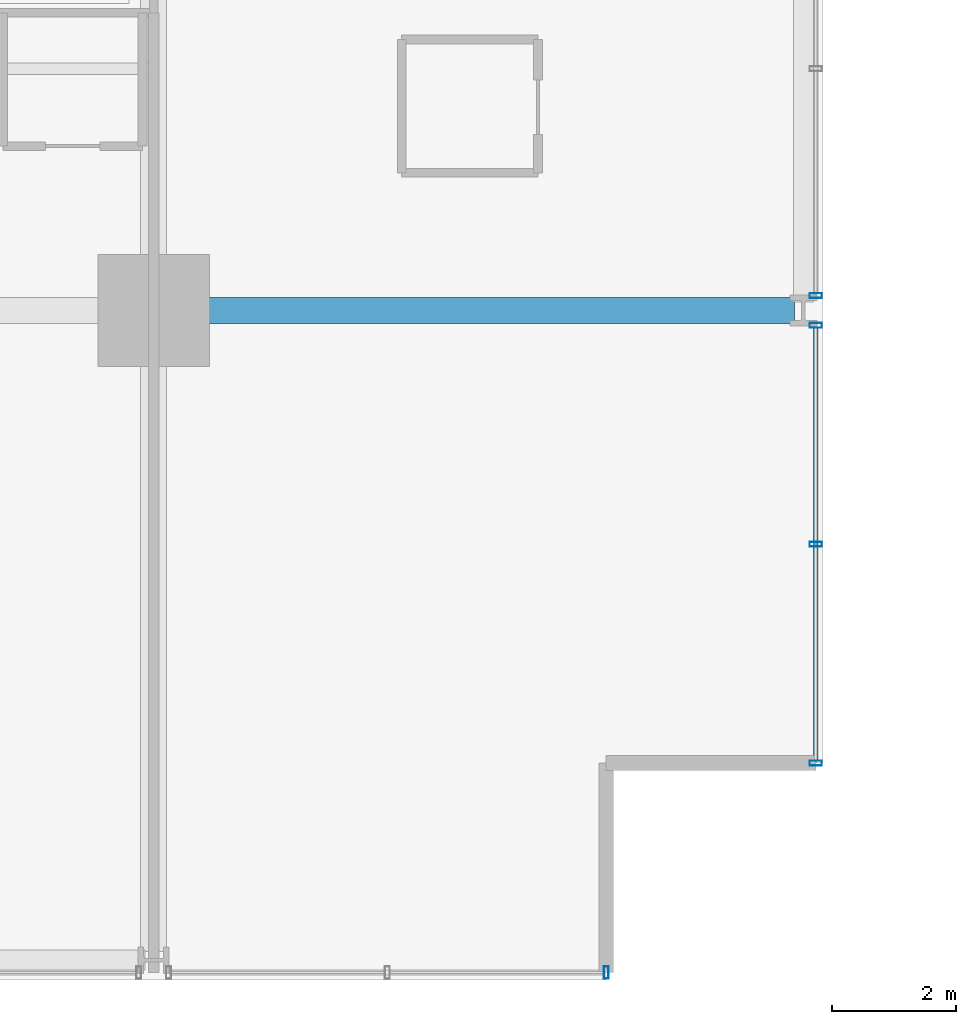
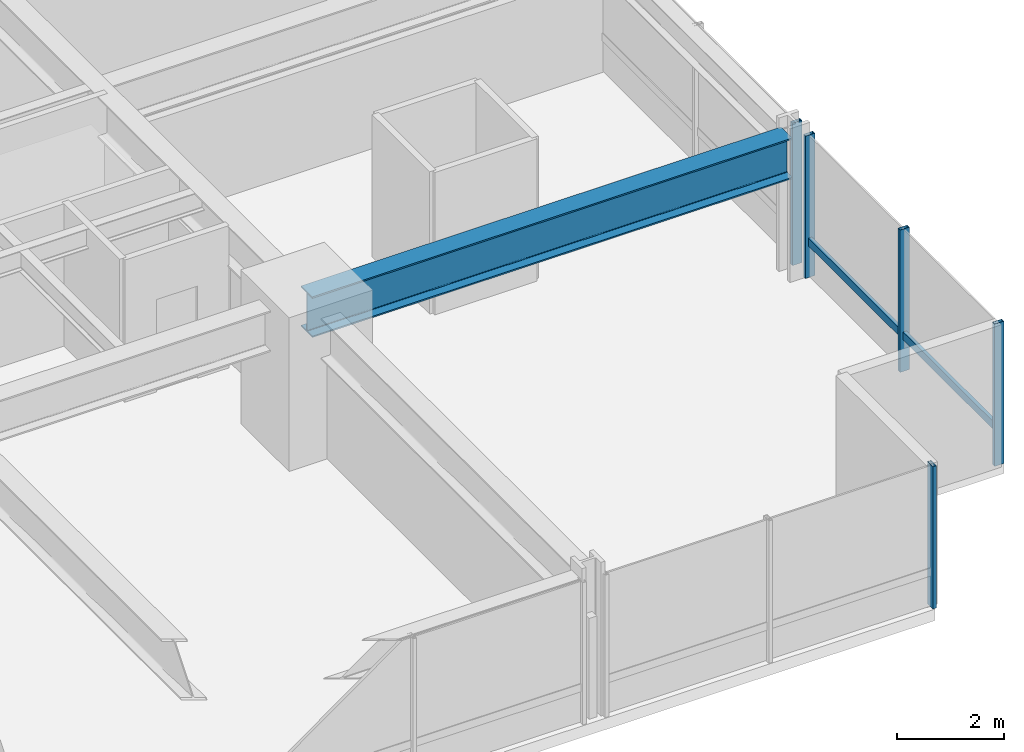
# One storey, part 13 of 37: 6 members, 1 beam, 3 elements without a shape of their own.
"""IFC4 building model written with IfcOpenShell, lengths in metres."""

from ifc_helpers import new_model, si_unit, direction, frame, origin, origin_2d, place, context, subcontext, project, spatial, hollow_rectangle, i_section, extrude, material, layer, layer_set, material_profile, profile_set, type_object, element, aggregate, save


model = new_model("IFC4")

# Units and contexts
model_context = context("Model", 3, precision=1e-05, world=origin(), true_north=direction((0.0, 1.0)))
body_context = subcontext(model_context, "Body", "Model", "MODEL_VIEW")
ifc_project = project(units=[si_unit("LENGTHUNIT", "METRE"), si_unit("AREAUNIT", "SQUARE_METRE"), si_unit("VOLUMEUNIT", "CUBIC_METRE"), si_unit("PLANEANGLEUNIT", "RADIAN"), si_unit("MASSUNIT", "GRAM", prefix="KILO")], contexts=[model_context])

# Site, building, storey
site_placement = place(None, origin())
site = spatial("IfcSite", under=ifc_project, at=site_placement, CompositionType="ELEMENT")
building_placement = place(site_placement, origin())
building = spatial("IfcBuilding", under=site, at=building_placement, Name="Drelvath Grand Hotel", CompositionType="ELEMENT")
storey_placement = place(building_placement, frame((0.0, 0.0, 43.699951171875)))
storey = spatial("IfcBuildingStorey", under=building, at=storey_placement, Name="L09", CompositionType="ELEMENT", Elevation=43.699951171875)

# Curtain wall, members
ifc_material_1 = material(Name="Warm Bronze Anodised Aluminium Frame", Category="aluminium")
ifc_layer = layer(ifc_material_1, 0.199951171875)
ifc_layer_set = layer_set([ifc_layer], Name="Warm Bronze Anodised Aluminium Frame")
curtain_wall_type = type_object("IfcCurtainWallType", Name="Stick Curtain Wall CW-02 Warm Bronze Low-Rise", PredefinedType="NOTDEFINED", material=ifc_layer_set)
curtain_wall_1_placement = place(storey_placement, origin())
curtain_wall_1 = element("IfcCurtainWall", 1, at=curtain_wall_1_placement, inside=storey, type_object=curtain_wall_type, Name="L09 CW-02 Curtain Wall CW02-L09-ES1", PredefinedType="NOTDEFINED")
ifc_material_profile_1 = material_profile(ifc_material_1, hollow_rectangle(XDim=0.074951171875, YDim=0.179931640625, WallThickness=0.0048828125, at=origin_2d()), Name="HSS180X75X5")
ifc_profile_set_1 = profile_set([ifc_material_profile_1], Name="Warm Bronze Anodised Aluminium Frame")
member_type_1 = type_object("IfcMemberType", Name="Curtain Wall Horizontal Transom CW-02 HSS180X75X5", PredefinedType="USERDEFINED", material=ifc_profile_set_1)
member_1_placement = place(storey_placement, frame((26.8798828125, 10.51904296875, 0.81005859375), z_axis=(0.0, -1.0, 0.0), x_axis=(1.0, 0.0, 0.0)))
member_1 = element("IfcMember", 2, at=member_1_placement, type_object=member_type_1, Name="CW02-L09-ES1 Sill Transom", ObjectType="TRANSOM", PredefinedType="USERDEFINED", context=body_context, shape_type="SweptSolid", body=[
    extrude(hollow_rectangle(XDim=0.074951171875, YDim=0.179931640625, WallThickness=0.0048828125, at=origin_2d()), origin(), (0.0, 0.0, 1.0), 6.97900390625),
])
ifc_material_profile_2 = material_profile(ifc_material_1, hollow_rectangle(XDim=0.080078125, YDim=0.199951171875, WallThickness=0.0048828125, at=origin_2d()), Name="HSS200X80X5")
ifc_profile_set_2 = profile_set([ifc_material_profile_2], Name="Warm Bronze Anodised Aluminium Frame")
member_type_2 = type_object("IfcMemberType", Name="Curtain Wall Vertical Mullion CW-02 HSS200X80X5", PredefinedType="MULLION", material=ifc_profile_set_2)
member_2_placement = place(storey_placement, frame((26.8798828125, 10.55908203125, 0.0), z_axis=(0.0, 0.0, 1.0), x_axis=(0.0, 1.0, 0.0)))
member_2 = element("IfcMember", 3, at=member_2_placement, type_object=member_type_2, Name="CW02-L09-ES1 Mullion 1", PredefinedType="MULLION", context=body_context, shape_type="SweptSolid", body=[
    extrude(hollow_rectangle(XDim=0.080078125, YDim=0.199951171875, WallThickness=0.0048828125, at=origin_2d()), origin(), (0.0, 0.0, 1.0), 3.239990234375),
])
member_3_placement = place(storey_placement, frame((26.8798828125, 7.029541015625, 0.0), z_axis=(0.0, 0.0, 1.0), x_axis=(0.0, 1.0, 0.0)))
member_3 = element("IfcMember", 4, at=member_3_placement, type_object=member_type_2, Name="CW02-L09-ES1 Mullion 2", PredefinedType="MULLION", context=body_context, shape_type="SweptSolid", body=[
    extrude(hollow_rectangle(XDim=0.080078125, YDim=0.199951171875, WallThickness=0.0048828125, at=origin_2d()), origin(), (0.0, 0.0, 1.0), 3.239990234375),
])
member_4_placement = place(storey_placement, frame((26.8798828125, 3.5, 0.0), z_axis=(0.0, 0.0, 1.0), x_axis=(0.0, 1.0, 0.0)))
member_4 = element("IfcMember", 5, at=member_4_placement, type_object=member_type_2, Name="CW02-L09-ES1 Mullion 3", PredefinedType="MULLION", context=body_context, shape_type="SweptSolid", body=[
    extrude(hollow_rectangle(XDim=0.080078125, YDim=0.199951171875, WallThickness=0.0048828125, at=origin_2d()), origin(), (0.0, 0.0, 1.0), 3.239990234375),
])
aggregate(curtain_wall_1, [member_2, member_3, member_4, member_1])

# Curtain wall, member
curtain_wall_2_placement = place(storey_placement, origin())
curtain_wall_2 = element("IfcCurtainWall", 6, at=curtain_wall_2_placement, inside=storey, type_object=curtain_wall_type, Name="L09 CW-02 Curtain Wall CW02-L09-ES2", PredefinedType="NOTDEFINED")
member_5_placement = place(storey_placement, frame((26.8798828125, 11.041015625, 0.0), z_axis=(0.0, 0.0, 1.0), x_axis=(0.0, 1.0, 0.0)))
member_5 = element("IfcMember", 7, at=member_5_placement, type_object=member_type_2, Name="CW02-L09-ES2 Mullion 3", PredefinedType="MULLION", context=body_context, shape_type="SweptSolid", body=[
    extrude(hollow_rectangle(XDim=0.080078125, YDim=0.199951171875, WallThickness=0.0048828125, at=origin_2d()), origin(), (0.0, 0.0, 1.0), 3.239990234375),
])
aggregate(curtain_wall_2, [member_5])

curtain_wall_3_placement = place(storey_placement, origin())
curtain_wall_3 = element("IfcCurtainWall", 8, at=curtain_wall_3_placement, inside=storey, type_object=curtain_wall_type, Name="L09 CW-02 Curtain Wall CW02-L09-SE3", PredefinedType="NOTDEFINED")
member_6_placement = place(storey_placement, frame((23.5, 0.1201171875, 0.0), z_axis=(0.0, 0.0, 1.0), x_axis=(1.0, 0.0, 0.0)))
member_6 = element("IfcMember", 9, at=member_6_placement, type_object=member_type_2, Name="CW02-L09-SE3 Mullion 1", PredefinedType="MULLION", context=body_context, shape_type="SweptSolid", body=[
    extrude(hollow_rectangle(XDim=0.080078125, YDim=0.199951171875, WallThickness=0.0048828125, at=origin_2d()), origin(), (0.0, 0.0, 1.0), 3.239990234375),
])
aggregate(curtain_wall_3, [member_6])

# Beam
ifc_material_2 = material(Name="Steel ASTM A992 Gr 50", Category="steel")
ifc_material_profile_3 = material_profile(ifc_material_2, i_section(OverallWidth=0.418212890625, OverallDepth=0.926513671875, WebThickness=0.019287109375, FlangeThickness=0.031982421875, FilletRadius=0.028076171875, at=origin_2d()), Name="W36X231")
ifc_profile_set_3 = profile_set([ifc_material_profile_3], Name="Steel ASTM A992 Gr 50")
beam_type = type_object("IfcBeamType", Name="Primary Floor Girder W36X231", PredefinedType="BEAM", material=ifc_profile_set_3)
beam_placement = place(storey_placement, frame((16.199951171875, 10.800048828125, 2.77685546875), z_axis=(1.0, 0.0, 0.0), x_axis=(0.0, 1.0, 0.0)))
element("IfcBeam", 10, at=beam_placement, inside=storey, type_object=beam_type, Name="L09 East Grid Girder C", PredefinedType="BEAM", context=body_context, shape_type="SweptSolid", body=[
    extrude(i_section(OverallWidth=0.418212890625, OverallDepth=0.926513671875, WebThickness=0.019287109375, FlangeThickness=0.031982421875, FilletRadius=0.028076171875, at=origin_2d()), origin(), (0.0, 0.0, 1.0), 10.340087890625),
])

save(model, "model.ifc")
